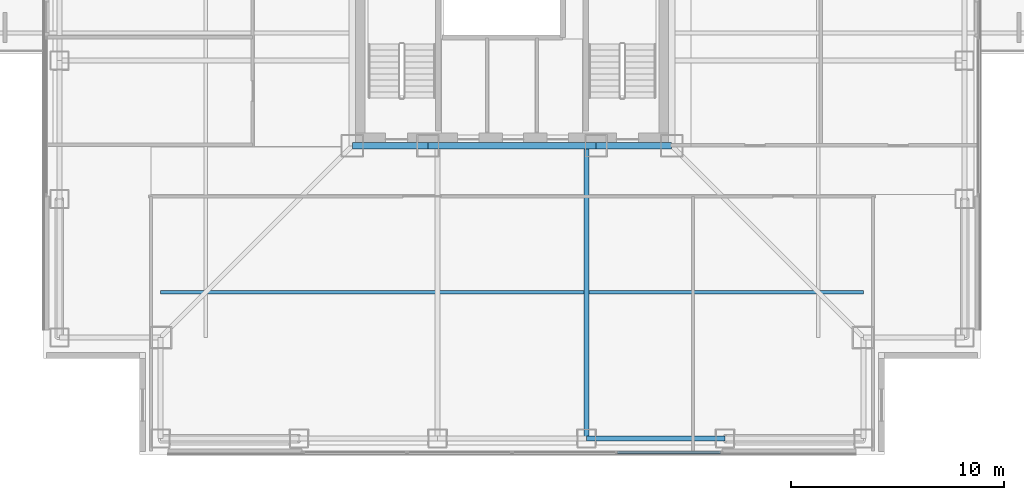
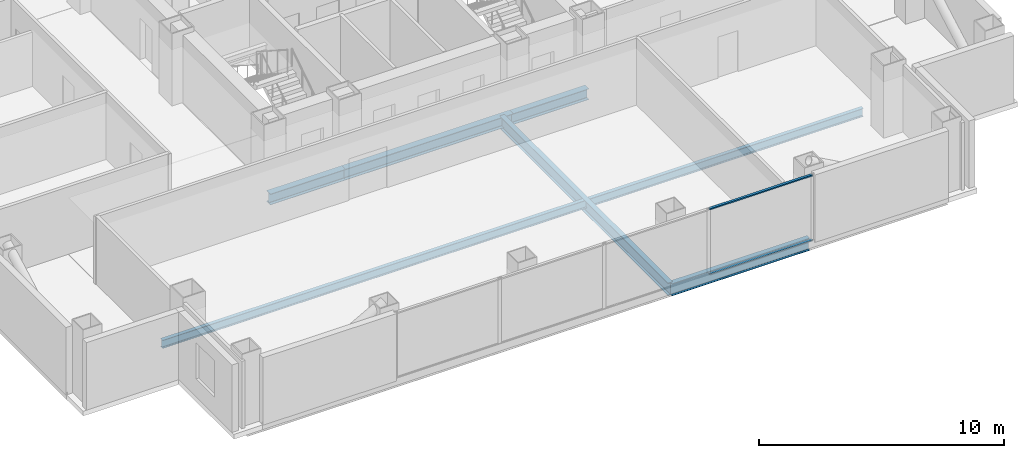
# One storey, part 3 of 16: 6 beams, 2 members, 1 element without a shape of its own.
"""IFC4 building model written with IfcOpenShell, lengths in metres."""

from ifc_helpers import new_model, si_unit, direction, frame, origin, origin_2d, place, context, subcontext, project, spatial, rectangle, i_section, extrude, material, layer, layer_set, material_profile, profile_set, type_object, element, aggregate, save


model = new_model("IFC4")

# Units and contexts
model_context = context("Model", 3, precision=1e-05, world=origin(), true_north=direction((0.0, 1.0)))
body_context = subcontext(model_context, "Body", "Model", "MODEL_VIEW")
ifc_project = project(units=[si_unit("LENGTHUNIT", "METRE"), si_unit("AREAUNIT", "SQUARE_METRE"), si_unit("VOLUMEUNIT", "CUBIC_METRE"), si_unit("PLANEANGLEUNIT", "RADIAN"), si_unit("MASSUNIT", "GRAM", prefix="KILO")], contexts=[model_context])

# Site, building, storey
site_placement = place(None, origin())
site = spatial("IfcSite", under=ifc_project, at=site_placement, CompositionType="ELEMENT")
building_placement = place(site_placement, origin())
building = spatial("IfcBuilding", under=site, at=building_placement, Name="Trevonay Congress Spire", CompositionType="ELEMENT")
storey_placement = place(building_placement, frame((0.0, 0.0, 144.39990234375)))
storey = spatial("IfcBuildingStorey", under=building, at=storey_placement, Name="L37", CompositionType="ELEMENT", Elevation=144.39990234375)

# Beams
ifc_material_1 = material(Name="Steel ASTM A572 Grade 50", Category="steel")
ifc_material_profile_1 = material_profile(ifc_material_1, i_section(OverallWidth=0.31201171875, OverallDepth=0.54296875, WebThickness=0.0126953125, FlangeThickness=0.020263671875, FilletRadius=0.014892578125, at=origin_2d()), Name="W530x150")
ifc_profile_set_1 = profile_set([ifc_material_profile_1], Name="Steel ASTM A572 Grade 50")
beam_type_1 = type_object("IfcBeamType", Name="BM-GIRD-W530X150", PredefinedType="BEAM", material=ifc_profile_set_1)
beam_1_placement = place(storey_placement, frame((-7.5, -7.5, -0.511474609375), z_axis=(1.0, 0.0, 0.0), x_axis=(0.0, 1.0, 0.0)))
element("IfcBeam", 1, at=beam_1_placement, inside=storey, type_object=beam_type_1, Name="L37 structural beam BM-L37-CR-S1", PredefinedType="BEAM", context=body_context, shape_type="SweptSolid", body=[
    extrude(i_section(OverallWidth=0.31201171875, OverallDepth=0.54296875, WebThickness=0.0126953125, FlangeThickness=0.020263671875, FilletRadius=0.014892578125, at=origin_2d()), origin(), (0.0, 0.0, 1.0), 3.550048828125),
])
beam_2_placement = place(storey_placement, frame((-3.949951171875, -7.5, -0.511474609375), z_axis=(1.0, 0.0, 0.0), x_axis=(0.0, 1.0, 0.0)))
element("IfcBeam", 2, at=beam_2_placement, inside=storey, type_object=beam_type_1, Name="L37 structural beam BM-L37-CR-S2", PredefinedType="BEAM", context=body_context, shape_type="SweptSolid", body=[
    extrude(i_section(OverallWidth=0.31201171875, OverallDepth=0.54296875, WebThickness=0.0126953125, FlangeThickness=0.020263671875, FilletRadius=0.014892578125, at=origin_2d()), origin(), (0.0, 0.0, 1.0), 7.89990234375),
])
beam_3_placement = place(storey_placement, frame((3.949951171875, -7.5, -0.511474609375), z_axis=(1.0, 0.0, 0.0), x_axis=(0.0, 1.0, 0.0)))
element("IfcBeam", 3, at=beam_3_placement, inside=storey, type_object=beam_type_1, Name="L37 structural beam BM-L37-CR-S3", PredefinedType="BEAM", context=body_context, shape_type="SweptSolid", body=[
    extrude(i_section(OverallWidth=0.31201171875, OverallDepth=0.54296875, WebThickness=0.0126953125, FlangeThickness=0.020263671875, FilletRadius=0.014892578125, at=origin_2d()), origin(), (0.0, 0.0, 1.0), 3.550048828125),
])
ifc_material_profile_2 = material_profile(ifc_material_1, i_section(OverallWidth=0.22998046875, OverallDepth=0.616943359375, WebThickness=0.01318359375, FlangeThickness=0.022216796875, FilletRadius=0.01611328125, at=origin_2d()), Name="W610x140")
ifc_profile_set_2 = profile_set([ifc_material_profile_2], Name="Steel ASTM A572 Grade 50")
beam_type_2 = type_object("IfcBeamType", Name="BM-GIRD-W610X140", PredefinedType="BEAM", material=ifc_profile_set_2)
beam_4_placement = place(storey_placement, frame((3.5, -7.5, -0.54833984375), z_axis=(0.0, -1.0, 0.0), x_axis=(1.0, 0.0, 0.0)))
element("IfcBeam", 4, at=beam_4_placement, inside=storey, type_object=beam_type_2, Name="L37 structural beam BM-L37-GS-P", PredefinedType="BEAM", context=body_context, shape_type="SweptSolid", body=[
    extrude(i_section(OverallWidth=0.22998046875, OverallDepth=0.616943359375, WebThickness=0.01318359375, FlangeThickness=0.022216796875, FilletRadius=0.01611328125, at=origin_2d()), origin(), (0.0, 0.0, 1.0), 13.75),
])
ifc_material_profile_3 = material_profile(ifc_material_1, i_section(OverallWidth=0.22802734375, OverallDepth=0.60791015625, WebThickness=0.01123046875, FlangeThickness=0.017333984375, FilletRadius=0.01611328125, at=origin_2d()), Name="W610x113")
ifc_profile_set_3 = profile_set([ifc_material_profile_3], Name="Steel ASTM A572 Grade 50")
beam_type_3 = type_object("IfcBeamType", Name="BM-RING-W610X113", PredefinedType="BEAM", material=ifc_profile_set_3)
beam_5_placement = place(storey_placement, frame((3.5, -21.25, -0.5439453125), z_axis=(1.0, 0.0, 0.0), x_axis=(0.0, 1.0, 0.0)))
element("IfcBeam", 5, at=beam_5_placement, inside=storey, type_object=beam_type_3, Name="L37 structural beam BM-L37-PS4", PredefinedType="BEAM", context=body_context, shape_type="SweptSolid", body=[
    extrude(i_section(OverallWidth=0.22802734375, OverallDepth=0.60791015625, WebThickness=0.01123046875, FlangeThickness=0.017333984375, FilletRadius=0.01611328125, at=origin_2d()), origin(), (0.0, 0.0, 1.0), 6.5),
])

# Curtain wall, members
ifc_material_2 = material(Name="Pale Anodised Aluminium EN AW-6063-T6", Category="aluminium")
ifc_layer = layer(ifc_material_2, 0.175048828125, Name="Pale Anodised Aluminium EN AW-6063-T6")
ifc_layer_set = layer_set([ifc_layer], Name="Pale Anodised Aluminium EN AW-6063-T6")
curtain_wall_type = type_object("IfcCurtainWallType", Name="CW-SYS03-CONGRESS-PALE-METAL", PredefinedType="NOTDEFINED", material=ifc_layer_set)
curtain_wall_placement = place(storey_placement, origin())
curtain_wall = element("IfcCurtainWall", 6, at=curtain_wall_placement, inside=storey, type_object=curtain_wall_type, Name="L37 S unitised curtain wall", PredefinedType="NOTDEFINED")
ifc_material_profile_4 = material_profile(ifc_material_2, rectangle(XDim=0.1201171875, YDim=0.06005859375, at=origin_2d()), Name="CW-TRANSOM-120-ALUMINIUM")
ifc_profile_set_4 = profile_set([ifc_material_profile_4], Name="Pale Anodised Aluminium EN AW-6063-T6")
member_type = type_object("IfcMemberType", Name="CW-TRANSOM-120-ALUMINIUM", PredefinedType="USERDEFINED", material=ifc_profile_set_4)
member_1_placement = place(storey_placement, frame((4.955078125, -21.8798828125, 0.06005859375), z_axis=(1.0, 0.0, 0.0), x_axis=(0.0, 1.0, 0.0)))
member_1 = element("IfcMember", 7, at=member_1_placement, type_object=member_type, Name="CW03 transom 4.1", ObjectType="TRANSOM", PredefinedType="USERDEFINED", context=body_context, shape_type="SweptSolid", body=[
    extrude(rectangle(XDim=0.1201171875, YDim=0.06005859375, at=origin_2d()), origin(), (0.0, 0.0, 1.0), 4.8349609375),
])
member_2_placement = place(storey_placement, frame((4.955078125, -21.8798828125, 3.300048828125), z_axis=(1.0, 0.0, 0.0), x_axis=(0.0, 1.0, 0.0)))
member_2 = element("IfcMember", 8, at=member_2_placement, type_object=member_type, Name="CW03 transom 4.2", ObjectType="TRANSOM", PredefinedType="USERDEFINED", context=body_context, shape_type="SweptSolid", body=[
    extrude(rectangle(XDim=0.1201171875, YDim=0.06005859375, at=origin_2d()), origin(), (0.0, 0.0, 1.0), 4.8349609375),
])
aggregate(curtain_wall, [member_1, member_2])

# Beam
ifc_material_profile_5 = material_profile(ifc_material_1, i_section(OverallWidth=0.177978515625, OverallDepth=0.406982421875, WebThickness=0.0078125, FlangeThickness=0.0126953125, FilletRadius=0.012939453125, at=origin_2d()), Name="W410x60")
ifc_profile_set_5 = profile_set([ifc_material_profile_5], Name="Steel ASTM A572 Grade 50")
beam_type_4 = type_object("IfcBeamType", Name="JS-COMP-W410X60", PredefinedType="JOIST", material=ifc_profile_set_5)
beam_6_placement = place(storey_placement, frame((-16.5, -14.375, -0.443359375), z_axis=(1.0, 0.0, 0.0), x_axis=(0.0, 1.0, 0.0)))
element("IfcBeam", 9, at=beam_6_placement, inside=storey, type_object=beam_type_4, Name="L37 structural beam JS-L37-RING-S", PredefinedType="JOIST", context=body_context, shape_type="SweptSolid", body=[
    extrude(i_section(OverallWidth=0.177978515625, OverallDepth=0.406982421875, WebThickness=0.0078125, FlangeThickness=0.0126953125, FilletRadius=0.012939453125, at=origin_2d()), origin(), (0.0, 0.0, 1.0), 33.0),
])

save(model, "model.ifc")
